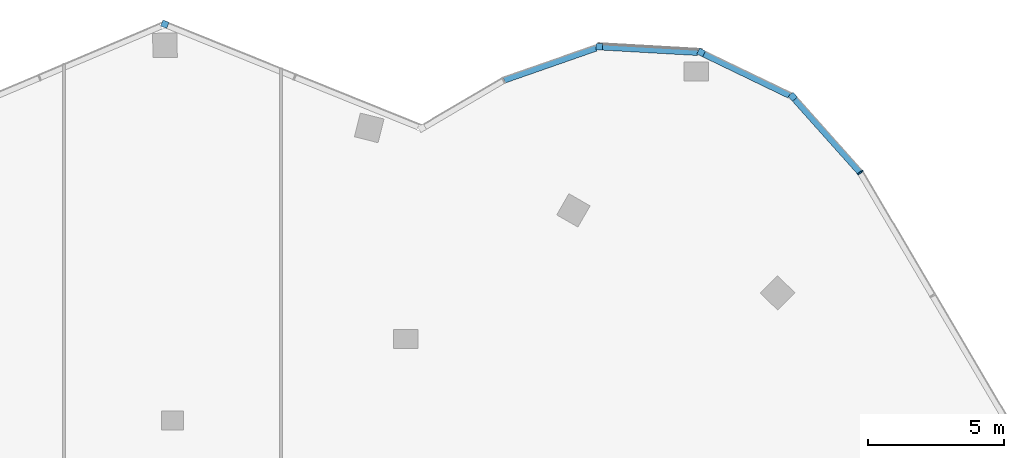
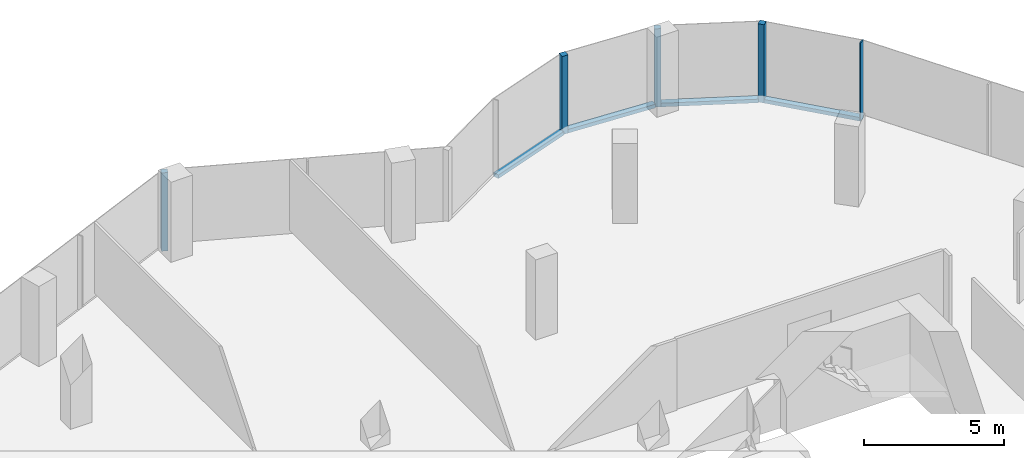
# One storey, part 9 of 16: 9 members, 6 elements without a shape of their own.
"""IFC4 building model written with IfcOpenShell, lengths in metres."""

from ifc_helpers import new_model, si_unit, direction, frame, origin, origin_2d, place, context, subcontext, project, spatial, rectangle, extrude, material, material_profile, profile_set, type_object, element, aggregate, save


model = new_model("IFC4")

# Units and contexts
model_context = context("Model", 3, precision=1e-05, world=origin(), true_north=direction((0.0, 1.0)))
body_context = subcontext(model_context, "Body", "Model", "MODEL_VIEW")
ifc_project = project(units=[si_unit("LENGTHUNIT", "METRE"), si_unit("AREAUNIT", "SQUARE_METRE"), si_unit("VOLUMEUNIT", "CUBIC_METRE"), si_unit("PLANEANGLEUNIT", "RADIAN"), si_unit("MASSUNIT", "GRAM", prefix="KILO")], contexts=[model_context])

# Site, building, storey
site_placement = place(None, origin())
site = spatial("IfcSite", under=ifc_project, at=site_placement, CompositionType="ELEMENT")
building_placement = place(site_placement, origin())
building = spatial("IfcBuilding", under=site, at=building_placement, Name="Orlundy Tower", CompositionType="ELEMENT")
storey_placement = place(building_placement, frame((0.0, 0.0, 292.89990234375)))
storey = spatial("IfcBuildingStorey", under=building, at=storey_placement, Name="L78", CompositionType="ELEMENT", Elevation=292.89990234375)

# Curtain wall, member
ifc_material_1 = material(Name="Aluminium bronze anodised", Category="aluminium")
curtain_wall_type = type_object("IfcCurtainWallType", Name="CW6 wall", PredefinedType="NOTDEFINED", material=ifc_material_1)
curtain_wall_1_placement = place(storey_placement, origin())
curtain_wall_1 = element("IfcCurtainWall", 1, at=curtain_wall_1_placement, inside=storey, type_object=curtain_wall_type, Name="CW6 run 017", PredefinedType="NOTDEFINED")
ifc_material_2 = material(Name="Aluminium bronze anodised", Category="aluminium")
ifc_material_profile_1 = material_profile(ifc_material_2, rectangle(XDim=0.239990234375, YDim=0.239990234375, at=origin_2d()), Name="CW6 corner post 240x240")
ifc_profile_set_1 = profile_set([ifc_material_profile_1], Name="Aluminium bronze anodised")
member_type_1 = type_object("IfcMemberType", Name="CW6 corner post 240x240", PredefinedType="MULLION", material=ifc_profile_set_1)
member_1_placement = place(storey_placement, frame((-0.2841796875, 32.600830078125, -0.31982421875), z_axis=(0.0, 0.0, 1.0), x_axis=(0.374639101319, 0.927170719858, 0.0)))
member_1 = element("IfcMember", 2, at=member_1_placement, type_object=member_type_1, Name="CW6 mullion 35", PredefinedType="MULLION", context=body_context, shape_type="SweptSolid", body=[
    extrude(rectangle(XDim=0.239990234375, YDim=0.239990234375, at=origin_2d()), origin(), (0.0, 0.0, 1.0), 3.419921875),
])
aggregate(curtain_wall_1, [member_1])

curtain_wall_2_placement = place(storey_placement, origin())
curtain_wall_2 = element("IfcCurtainWall", 3, at=curtain_wall_2_placement, inside=storey, type_object=curtain_wall_type, Name="CW6 run 020", PredefinedType="NOTDEFINED")
member_2_placement = place(storey_placement, frame((15.73388671875, 31.772216796875, -0.31982421875), z_axis=(0.0, 0.0, 1.0), x_axis=(0.056650299193, 0.998394082315, 0.0)))
member_2 = element("IfcMember", 4, at=member_2_placement, type_object=member_type_1, Name="CW6 mullion 39", PredefinedType="MULLION", context=body_context, shape_type="SweptSolid", body=[
    extrude(rectangle(XDim=0.239990234375, YDim=0.239990234375, at=origin_2d()), origin(), (0.0, 0.0, 1.0), 3.419921875),
])

curtain_wall_3_placement = place(storey_placement, origin())
curtain_wall_3 = element("IfcCurtainWall", 5, at=curtain_wall_3_placement, inside=storey, type_object=curtain_wall_type, Name="CW6 run 021", PredefinedType="NOTDEFINED")
member_3_placement = place(storey_placement, frame((19.482666015625, 31.5595703125, -0.31982421875), z_axis=(0.0, 0.0, 1.0), x_axis=(0.434650977101, 0.900598982958, 0.0)))
member_3 = element("IfcMember", 6, at=member_3_placement, type_object=member_type_1, Name="CW6 mullion 40", PredefinedType="MULLION", context=body_context, shape_type="SweptSolid", body=[
    extrude(rectangle(XDim=0.239990234375, YDim=0.239990234375, at=origin_2d()), origin(), (0.0, 0.0, 1.0), 3.419921875),
])

curtain_wall_4_placement = place(storey_placement, origin())
curtain_wall_4 = element("IfcCurtainWall", 7, at=curtain_wall_4_placement, inside=storey, type_object=curtain_wall_type, Name="CW6 run 022", PredefinedType="NOTDEFINED")
member_4_placement = place(storey_placement, frame((22.863525390625, 29.927734375, -0.31982421875), z_axis=(0.0, 0.0, 1.0), x_axis=(0.745904155272, 0.666053294525, 0.0)))
member_4 = element("IfcMember", 8, at=member_4_placement, type_object=member_type_1, Name="CW6 mullion 41", PredefinedType="MULLION", context=body_context, shape_type="SweptSolid", body=[
    extrude(rectangle(XDim=0.239990234375, YDim=0.239990234375, at=origin_2d()), origin(), (0.0, 0.0, 1.0), 3.419921875),
])

curtain_wall_5_placement = place(storey_placement, origin())
curtain_wall_5 = element("IfcCurtainWall", 9, at=curtain_wall_5_placement, inside=storey, type_object=curtain_wall_type, Name="CW6 run 023", PredefinedType="NOTDEFINED")
ifc_material_3 = material(Name="Aluminium bronze anodised", Category="aluminium")
ifc_material_profile_2 = material_profile(ifc_material_3, rectangle(XDim=0.239990234375, YDim=0.050048828125, at=origin_2d()), Name="CW6 mullion 50x240")
ifc_profile_set_2 = profile_set([ifc_material_profile_2], Name="Aluminium bronze anodised")
member_type_2 = type_object("IfcMemberType", Name="CW6 mullion 50x240", PredefinedType="MULLION", material=ifc_profile_set_2)
member_5_placement = place(storey_placement, frame((25.3564453125, 27.135986328125, -0.31982421875), z_axis=(0.0, 0.0, 1.0), x_axis=(0.807667080972, 0.589638776129, 0.0)))
member_5 = element("IfcMember", 10, at=member_5_placement, type_object=member_type_2, Name="CW6 mullion 42", PredefinedType="MULLION", context=body_context, shape_type="SweptSolid", body=[
    extrude(rectangle(XDim=0.239990234375, YDim=0.050048828125, at=origin_2d()), origin(), (0.0, 0.0, 1.0), 3.419921875),
])
aggregate(curtain_wall_5, [member_5])

curtain_wall_6_placement = place(storey_placement, origin())
curtain_wall_6 = element("IfcCurtainWall", 11, at=curtain_wall_6_placement, inside=storey, type_object=curtain_wall_type, Name="CW6 run 019", PredefinedType="NOTDEFINED")
ifc_material_4 = material(Name="Aluminium bronze anodised", Category="aluminium")
ifc_material_profile_3 = material_profile(ifc_material_4, rectangle(XDim=0.239990234375, YDim=0.159912109375, at=origin_2d()), Name="CW6 transom 240x160")
ifc_profile_set_3 = profile_set([ifc_material_profile_3], Name="Aluminium bronze anodised")
member_type_3 = type_object("IfcMemberType", Name="CW6 transom 240x160", PredefinedType="USERDEFINED", material=ifc_profile_set_3)
member_6_placement = place(storey_placement, frame((12.22509765625, 30.546630859375, -0.239990234375), z_axis=(0.944080987072, 0.329713648261, 0.0), x_axis=(-0.329713648261, 0.944080987072, 0.0)))
member_6 = element("IfcMember", 12, at=member_6_placement, type_object=member_type_3, Name="CW6 transom", ObjectType="TRANSOM", PredefinedType="USERDEFINED", context=body_context, shape_type="SweptSolid", body=[
    extrude(rectangle(XDim=0.239990234375, YDim=0.159912109375, at=origin_2d()), origin(), (0.0, 0.0, 1.0), 3.5869140625),
])
aggregate(curtain_wall_6, [member_6])

# Member
member_7_placement = place(storey_placement, frame((15.853759765625, 31.765380859375, -0.239990234375), z_axis=(0.998395164741, -0.056631219489, 0.0), x_axis=(0.056631219489, 0.998395164741, 0.0)))
member_7 = element("IfcMember", 13, at=member_7_placement, type_object=member_type_3, Name="CW6 transom", ObjectType="TRANSOM", PredefinedType="USERDEFINED", context=body_context, shape_type="SweptSolid", body=[
    extrude(rectangle(XDim=0.239990234375, YDim=0.159912109375, at=origin_2d()), origin(), (0.0, 0.0, 1.0), 3.5048828125),
])

aggregate(curtain_wall_2, [member_2, member_7])

member_8_placement = place(storey_placement, frame((19.5908203125, 31.50732421875, -0.239990234375), z_axis=(0.900582674137, -0.434684767441, 0.0), x_axis=(0.434684767441, 0.900582674137, 0.0)))
member_8 = element("IfcMember", 14, at=member_8_placement, type_object=member_type_3, Name="CW6 transom", ObjectType="TRANSOM", PredefinedType="USERDEFINED", context=body_context, shape_type="SweptSolid", body=[
    extrude(rectangle(XDim=0.239990234375, YDim=0.159912109375, at=origin_2d()), origin(), (0.0, 0.0, 1.0), 3.504150390625),
])

aggregate(curtain_wall_3, [member_3, member_8])

member_9_placement = place(storey_placement, frame((22.943603515625, 29.838134765625, -0.239990234375), z_axis=(0.666038696107, -0.745917190637, 0.0), x_axis=(0.745917190637, 0.666038696107, 0.0)))
member_9 = element("IfcMember", 15, at=member_9_placement, type_object=member_type_3, Name="CW6 transom", ObjectType="TRANSOM", PredefinedType="USERDEFINED", context=body_context, shape_type="SweptSolid", body=[
    extrude(rectangle(XDim=0.239990234375, YDim=0.159912109375, at=origin_2d()), origin(), (0.0, 0.0, 1.0), 3.597412109375),
])

aggregate(curtain_wall_4, [member_4, member_9])

save(model, "model.ifc")
